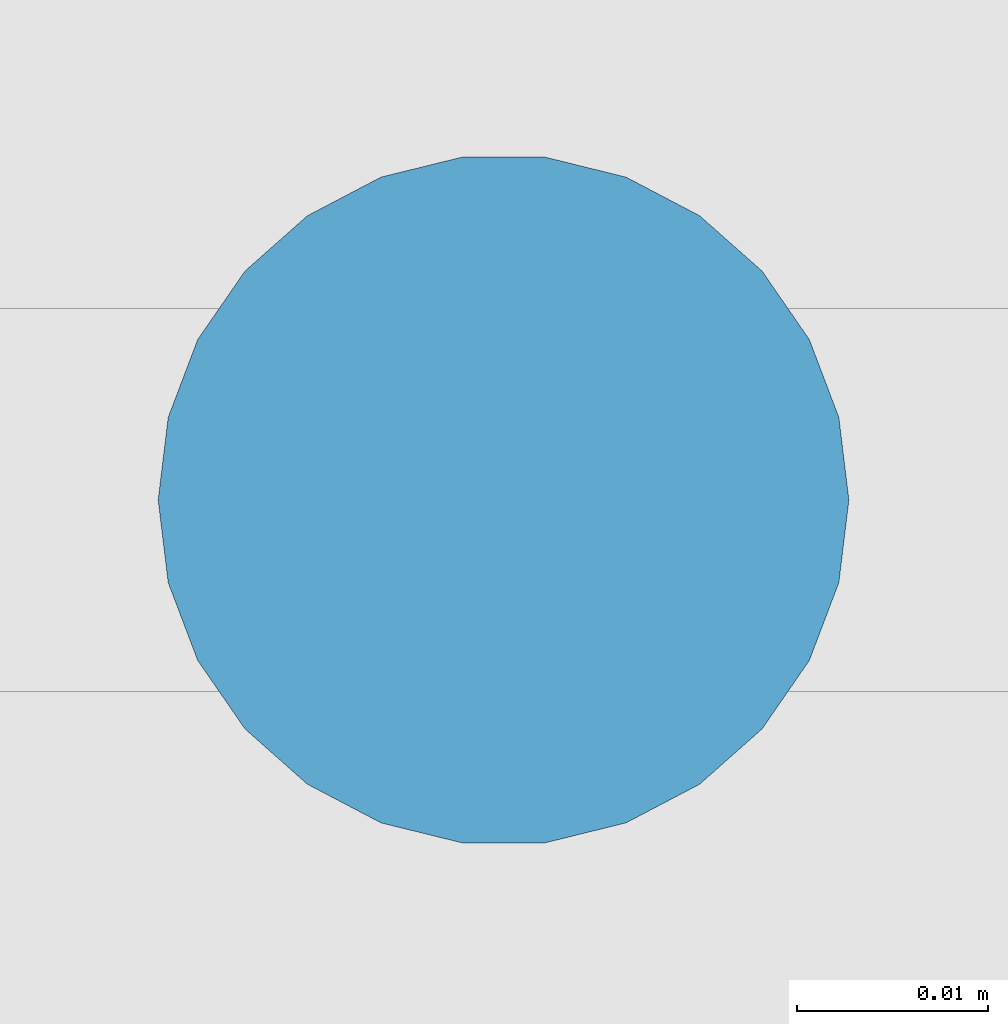
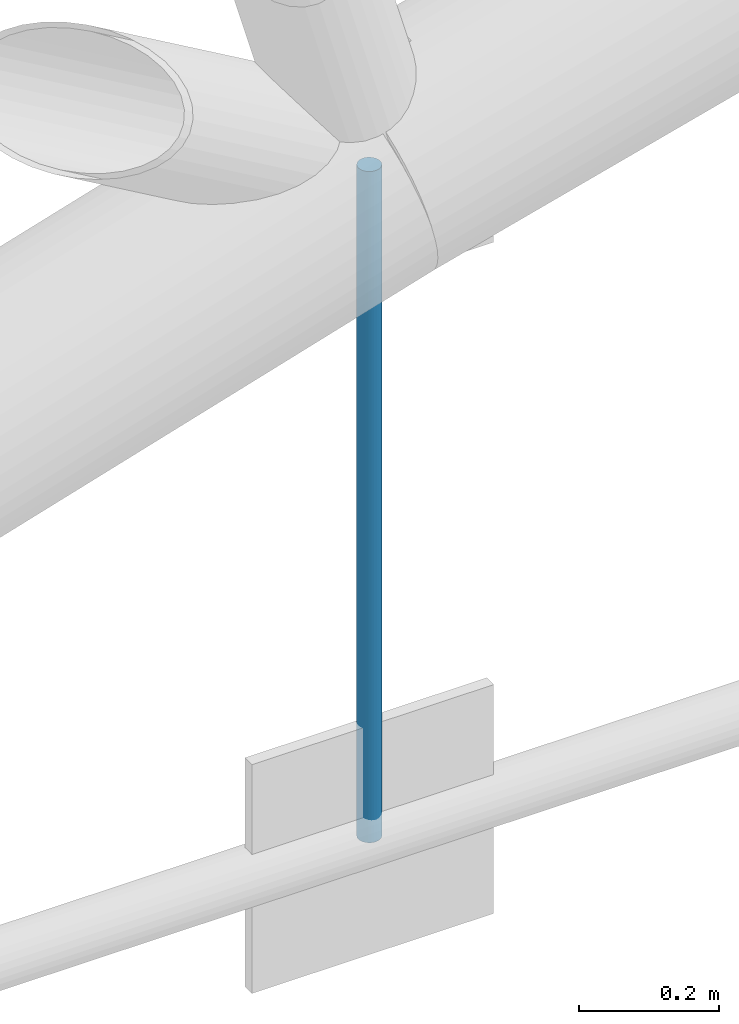
# One storey, part 76 of 321: 1 member.
"""IFC4 building model written with IfcOpenShell, lengths in metres."""

from ifc_helpers import new_model, si_unit, direction, frame, origin, origin_2d, place, context, subcontext, project, spatial, circle, extrude, material, material_profile, profile_set, type_object, element, save


model = new_model("IFC4")

# Units and contexts
model_context = context("Model", 3, precision=1e-05, world=origin(), true_north=direction((0.0, 1.0)))
body_context = subcontext(model_context, "Body", "Model", "MODEL_VIEW")
ifc_project = project(units=[si_unit("LENGTHUNIT", "METRE"), si_unit("AREAUNIT", "SQUARE_METRE"), si_unit("VOLUMEUNIT", "CUBIC_METRE"), si_unit("PLANEANGLEUNIT", "RADIAN"), si_unit("MASSUNIT", "GRAM", prefix="KILO")], contexts=[model_context])

# Site, building, storey
site_placement = place(None, origin())
site = spatial("IfcSite", under=ifc_project, at=site_placement, CompositionType="ELEMENT")
building_placement = place(site_placement, origin())
building = spatial("IfcBuilding", under=site, at=building_placement, Name="Ravi Spectrum Wholesale Market", CompositionType="ELEMENT")
storey_placement = place(building_placement, frame((0.0, 0.0, 10.800048828125)))
storey = spatial("IfcBuildingStorey", under=building, at=storey_placement, Name="L02", CompositionType="ELEMENT", Elevation=10.800048828125)

# Member
ifc_material = material(Name="Steel S355", Category="steel")
ifc_material_profile = material_profile(ifc_material, circle(Radius=0.01806640625, at=origin_2d()))
ifc_profile_set = profile_set([ifc_material_profile], Name="Steel S355")
member_type = type_object("IfcMemberType", Name="ROD 36 hanger", PredefinedType="STRUT", material=ifc_profile_set)
member_placement = place(storey_placement, frame((43.88427734375, 126.0, 0.0), z_axis=(0.0, 0.0, 1.0), x_axis=(1.0, 0.0, 0.0)))
element("IfcMember", 1, at=member_placement, inside=storey, type_object=member_type, Name="H1-MB-L02-743", PredefinedType="STRUT", context=body_context, shape_type="SweptSolid", body=[
    extrude(circle(Radius=0.01806640625, at=origin_2d()), origin(), (0.0, 0.0, 1.0), 1.173095703125),
])

save(model, "model.ifc")
